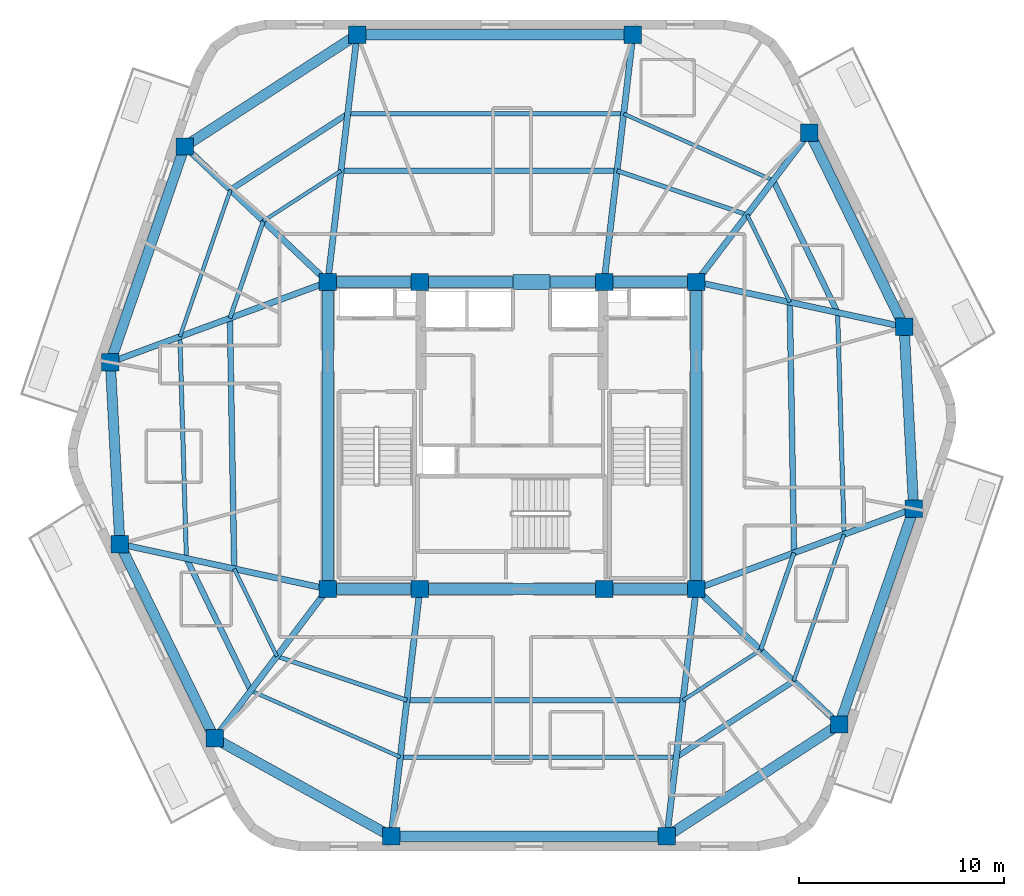
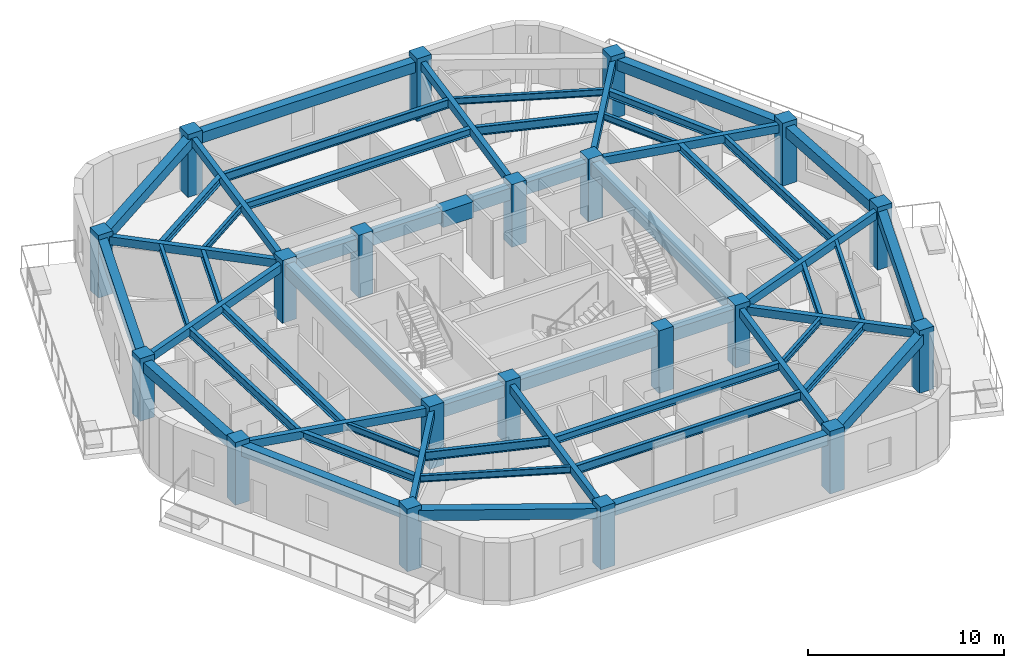
# One storey, part 1 of 9: 56 beams, 20 columns.
"""IFC4 building model written with IfcOpenShell, lengths in metres."""

from ifc_helpers import new_model, si_unit, direction, frame, origin, origin_2d, place, context, subcontext, project, spatial, rectangle, i_section, extrude, material, material_profile, profile_set, type_object, element, save


model = new_model("IFC4")

# Units and contexts
model_context = context("Model", 3, precision=1e-05, world=origin(), true_north=direction((0.0, 1.0)))
body_context = subcontext(model_context, "Body", "Model", "MODEL_VIEW")
ifc_project = project(units=[si_unit("LENGTHUNIT", "METRE"), si_unit("AREAUNIT", "SQUARE_METRE"), si_unit("VOLUMEUNIT", "CUBIC_METRE"), si_unit("PLANEANGLEUNIT", "RADIAN"), si_unit("MASSUNIT", "GRAM", prefix="KILO")], contexts=[model_context])

# Site, building, storey
site_placement = place(None, origin())
site = spatial("IfcSite", under=ifc_project, at=site_placement, CompositionType="ELEMENT")
building_placement = place(site_placement, origin())
building = spatial("IfcBuilding", under=site, at=building_placement, Name="Kilnhurst Terrace Hotel", CompositionType="ELEMENT")
storey_placement = place(building_placement, frame((0.0, 0.0, 273.0)))
storey = spatial("IfcBuildingStorey", under=building, at=storey_placement, Name="L68", CompositionType="ELEMENT", Elevation=273.0)

# Columns
ifc_material_1 = material(Name="Concrete C60/75", Category="concrete")
ifc_material_profile_1 = material_profile(ifc_material_1, rectangle(XDim=0.85009765625, YDim=0.85009765625, at=origin_2d()), Name="RC850X850")
ifc_profile_set_1 = profile_set([ifc_material_profile_1], Name="Concrete C60/75")
column_type = type_object("IfcColumnType", Name="COL-RC-850", PredefinedType="COLUMN", material=ifc_profile_set_1)
for number, where, z_axis, x_axis, name in (
    (1, (-9.0, -7.5, 0.0), (0.0, 0.0, 1.0), (1.0, 0.0, 0.0), "L68 Structural Column CC-SW"),
    (2, (-4.5, -7.5, 0.0), (0.0, 0.0, 1.0), (1.0, 0.0, 0.0), "L68 Structural Column CC-SC1"),
    (3, (4.5, -7.5, 0.0), (0.0, 0.0, 1.0), (1.0, 0.0, 0.0), "L68 Structural Column CC-SC2"),
    (4, (9.0, -7.5, 0.0), (0.0, 0.0, 1.0), (1.0, 0.0, 0.0), "L68 Structural Column CC-SE"),
    (5, (9.0, 7.5, 0.0), (0.0, 0.0, 1.0), (1.0, 0.0, 0.0), "L68 Structural Column CC-NE"),
    (6, (4.5, 7.5, 0.0), (0.0, 0.0, 1.0), (1.0, 0.0, 0.0), "L68 Structural Column CC-NC2"),
    (7, (-4.5, 7.5, 0.0), (0.0, 0.0, 1.0), (1.0, 0.0, 0.0), "L68 Structural Column CC-NC1"),
    (8, (-9.0, 7.5, 0.0), (0.0, 0.0, 1.0), (1.0, 0.0, 0.0), "L68 Structural Column CC-NW"),
    (9, (-5.907958984375, -19.580078125, 0.0), (0.0, 0.0, 1.0), (1.0, 0.0, 0.0), "L68 Structural Column PC-F11"),
    (10, (7.569091796875, -19.580078125, 0.0), (0.0, 0.0, 1.0), (1.0, 0.0, 0.0), "L68 Structural Column PC-F12"),
    (11, (15.9951171875, -14.12109375, 0.0), (0.0, 0.0, 1.0), (1.0, 0.0, 0.0), "L68 Structural Column PC-F21"),
    (12, (19.6240234375, -3.573974609375, 0.0), (0.0, 0.0, 1.0), (1.0, 0.0, 0.0), "L68 Structural Column PC-F22"),
    (13, (19.157958984375, 5.304931640625, 0.0), (0.0, 0.0, 1.0), (1.0, 0.0, 0.0), "L68 Structural Column PC-F31"),
    (14, (14.531005859375, 14.798095703125, 0.0), (0.0, 0.0, 1.0), (1.0, 0.0, 0.0), "L68 Structural Column PC-F32"),
    (15, (5.907958984375, 19.580078125, 0.0), (0.0, 0.0, 1.0), (1.0, 0.0, 0.0), "L68 Structural Column PC-F41"),
    (16, (-7.569091796875, 19.580078125, 0.0), (0.0, 0.0, 1.0), (1.0, 0.0, 0.0), "L68 Structural Column PC-F42"),
    (17, (-15.9951171875, 14.12109375, 0.0), (0.0, 0.0, 1.0), (1.0, 0.0, 0.0), "L68 Structural Column PC-F51"),
    (18, (-19.6240234375, 3.573974609375, 0.0), (0.0, 0.0, 1.0), (1.0, 0.0, 0.0), "L68 Structural Column PC-F52"),
    (19, (-19.157958984375, -5.304931640625, 0.0), (0.0, 0.0, 1.0), (1.0, 0.0, 0.0), "L68 Structural Column PC-F61"),
    (20, (-14.531005859375, -14.798095703125, 0.0), (0.0, 0.0, 1.0), (1.0, 0.0, 0.0), "L68 Structural Column PC-F62"),
):
    element("IfcColumn", number, at=place(storey_placement, frame(where, z_axis=z_axis, x_axis=x_axis)), inside=storey, type_object=column_type, Name=name, PredefinedType="COLUMN", context=body_context, shape_type="SweptSolid", body=[
        extrude(rectangle(XDim=0.85009765625, YDim=0.85009765625, at=origin_2d()), origin(), (0.0, 0.0, 1.0), 3.89990234375),
    ])

# Beams
ifc_material_2 = material(Name="Concrete C50/60", Category="concrete")
ifc_material_profile_2 = material_profile(ifc_material_2, rectangle(XDim=0.300048828125, YDim=0.5, at=origin_2d()), Name="RC300X500")
ifc_profile_set_2 = profile_set([ifc_material_profile_2], Name="Concrete C50/60")
beam_type_1 = type_object("IfcBeamType", Name="BM-RAD-300X500", PredefinedType="BEAM", material=ifc_profile_set_2)
beam_1_placement = place(storey_placement, frame((-4.5, -7.5, 3.35009765625), z_axis=(-0.115768472001, -0.993276225876, 0.0), x_axis=(0.993276225876, -0.115768472001, 0.0)))
element("IfcBeam", 21, at=beam_1_placement, inside=storey, type_object=beam_type_1, Name="L68 Radial Floor Beam 1", PredefinedType="BEAM", context=body_context, shape_type="SweptSolid", body=[
    extrude(rectangle(XDim=0.300048828125, YDim=0.5, at=origin_2d()), origin(), (0.0, 0.0, 1.0), 12.161865234375),
])
beam_2_placement = place(storey_placement, frame((9.0, -7.5, 3.35009765625), z_axis=(-0.117629552811, -0.993057545314, 0.0), x_axis=(0.993057545314, -0.117629552811, 0.0)))
element("IfcBeam", 22, at=beam_2_placement, inside=storey, type_object=beam_type_1, Name="L68 Radial Floor Beam 2", PredefinedType="BEAM", context=body_context, shape_type="SweptSolid", body=[
    extrude(rectangle(XDim=0.300048828125, YDim=0.5, at=origin_2d()), origin(), (0.0, 0.0, 1.0), 12.16455078125),
])
beam_3_placement = place(storey_placement, frame((9.0, -7.5, 3.35009765625), z_axis=(0.726256338973, -0.687423981326, 0.0), x_axis=(0.687423981326, 0.726256338973, 0.0)))
element("IfcBeam", 23, at=beam_3_placement, inside=storey, type_object=beam_type_1, Name="L68 Radial Floor Beam 3", PredefinedType="BEAM", context=body_context, shape_type="SweptSolid", body=[
    extrude(rectangle(XDim=0.300048828125, YDim=0.5, at=origin_2d()), origin(), (0.0, 0.0, 1.0), 9.6318359375),
])
beam_4_placement = place(storey_placement, frame((9.0, -7.5, 3.35009765625), z_axis=(0.938001507479, 0.3466311757, 0.0), x_axis=(-0.3466311757, 0.938001507479, 0.0)))
element("IfcBeam", 24, at=beam_4_placement, inside=storey, type_object=beam_type_1, Name="L68 Radial Floor Beam 4", PredefinedType="BEAM", context=body_context, shape_type="SweptSolid", body=[
    extrude(rectangle(XDim=0.300048828125, YDim=0.5, at=origin_2d()), origin(), (0.0, 0.0, 1.0), 11.326171875),
])
beam_5_placement = place(storey_placement, frame((9.0, 7.5, 3.35009765625), z_axis=(0.977438945995, -0.211218149913, 0.0), x_axis=(0.211218149913, 0.977438945995, 0.0)))
element("IfcBeam", 25, at=beam_5_placement, inside=storey, type_object=beam_type_1, Name="L68 Radial Floor Beam 5", PredefinedType="BEAM", context=body_context, shape_type="SweptSolid", body=[
    extrude(rectangle(XDim=0.300048828125, YDim=0.5, at=origin_2d()), origin(), (0.0, 0.0, 1.0), 10.392333984375),
])
beam_6_placement = place(storey_placement, frame((9.0, 7.5, 3.35009765625), z_axis=(0.604006537698, 0.79697936135, 0.0), x_axis=(-0.79697936135, 0.604006537698, 0.0)))
element("IfcBeam", 26, at=beam_6_placement, inside=storey, type_object=beam_type_1, Name="L68 Radial Floor Beam 6", PredefinedType="BEAM", context=body_context, shape_type="SweptSolid", body=[
    extrude(rectangle(XDim=0.300048828125, YDim=0.5, at=origin_2d()), origin(), (0.0, 0.0, 1.0), 9.1572265625),
])
beam_7_placement = place(storey_placement, frame((4.5, 7.5, 3.35009765625), z_axis=(0.115768472001, 0.993276225876, 0.0), x_axis=(-0.993276225876, 0.115768472001, 0.0)))
element("IfcBeam", 27, at=beam_7_placement, inside=storey, type_object=beam_type_1, Name="L68 Radial Floor Beam 7", PredefinedType="BEAM", context=body_context, shape_type="SweptSolid", body=[
    extrude(rectangle(XDim=0.300048828125, YDim=0.5, at=origin_2d()), origin(), (0.0, 0.0, 1.0), 12.161865234375),
])
beam_8_placement = place(storey_placement, frame((-9.0, 7.5, 3.35009765625), z_axis=(0.117629552811, 0.993057545314, 0.0), x_axis=(-0.993057545314, 0.117629552811, 0.0)))
element("IfcBeam", 28, at=beam_8_placement, inside=storey, type_object=beam_type_1, Name="L68 Radial Floor Beam 8", PredefinedType="BEAM", context=body_context, shape_type="SweptSolid", body=[
    extrude(rectangle(XDim=0.300048828125, YDim=0.5, at=origin_2d()), origin(), (0.0, 0.0, 1.0), 12.16455078125),
])
beam_9_placement = place(storey_placement, frame((-9.0, 7.5, 3.35009765625), z_axis=(-0.726256338973, 0.687423981326, 0.0), x_axis=(-0.687423981326, -0.726256338973, 0.0)))
element("IfcBeam", 29, at=beam_9_placement, inside=storey, type_object=beam_type_1, Name="L68 Radial Floor Beam 9", PredefinedType="BEAM", context=body_context, shape_type="SweptSolid", body=[
    extrude(rectangle(XDim=0.300048828125, YDim=0.5, at=origin_2d()), origin(), (0.0, 0.0, 1.0), 9.6318359375),
])
beam_10_placement = place(storey_placement, frame((-9.0, 7.5, 3.35009765625), z_axis=(-0.938001507479, -0.3466311757, 0.0), x_axis=(0.3466311757, -0.938001507479, 0.0)))
element("IfcBeam", 30, at=beam_10_placement, inside=storey, type_object=beam_type_1, Name="L68 Radial Floor Beam 10", PredefinedType="BEAM", context=body_context, shape_type="SweptSolid", body=[
    extrude(rectangle(XDim=0.300048828125, YDim=0.5, at=origin_2d()), origin(), (0.0, 0.0, 1.0), 11.326171875),
])
beam_11_placement = place(storey_placement, frame((-9.0, -7.5, 3.35009765625), z_axis=(-0.977438945995, 0.211218149913, 0.0), x_axis=(-0.211218149913, -0.977438945995, 0.0)))
element("IfcBeam", 31, at=beam_11_placement, inside=storey, type_object=beam_type_1, Name="L68 Radial Floor Beam 11", PredefinedType="BEAM", context=body_context, shape_type="SweptSolid", body=[
    extrude(rectangle(XDim=0.300048828125, YDim=0.5, at=origin_2d()), origin(), (0.0, 0.0, 1.0), 10.392333984375),
])
beam_12_placement = place(storey_placement, frame((-9.0, -7.5, 3.35009765625), z_axis=(-0.604006537698, -0.79697936135, 0.0), x_axis=(0.79697936135, -0.604006537698, 0.0)))
element("IfcBeam", 32, at=beam_12_placement, inside=storey, type_object=beam_type_1, Name="L68 Radial Floor Beam 12", PredefinedType="BEAM", context=body_context, shape_type="SweptSolid", body=[
    extrude(rectangle(XDim=0.300048828125, YDim=0.5, at=origin_2d()), origin(), (0.0, 0.0, 1.0), 9.1572265625),
])
ifc_material_profile_3 = material_profile(ifc_material_2, rectangle(XDim=0.5, YDim=0.64990234375, at=origin_2d()), Name="RC500X650")
ifc_profile_set_3 = profile_set([ifc_material_profile_3], Name="Concrete C50/60")
beam_type_2 = type_object("IfcBeamType", Name="BM-SPN-500X650", PredefinedType="SPANDREL", material=ifc_profile_set_3)
beam_13_placement = place(storey_placement, frame((-5.907958984375, -19.580078125, 3.27490234375), z_axis=(1.0, 0.0, 0.0), x_axis=(0.0, 1.0, 0.0)))
element("IfcBeam", 33, at=beam_13_placement, inside=storey, type_object=beam_type_2, Name="L68 Perimeter Spandrel Beam 1", PredefinedType="SPANDREL", context=body_context, shape_type="SweptSolid", body=[
    extrude(rectangle(XDim=0.5, YDim=0.64990234375, at=origin_2d()), origin(), (0.0, 0.0, 1.0), 13.47705078125),
])
beam_14_placement = place(storey_placement, frame((7.569091796875, -19.580078125, 3.27490234375), z_axis=(0.839258818809, 0.543732135386, 0.0), x_axis=(-0.543732135386, 0.839258818809, 0.0)))
element("IfcBeam", 34, at=beam_14_placement, inside=storey, type_object=beam_type_2, Name="L68 Perimeter Spandrel Beam 2", PredefinedType="SPANDREL", context=body_context, shape_type="SweptSolid", body=[
    extrude(rectangle(XDim=0.5, YDim=0.64990234375, at=origin_2d()), origin(), (0.0, 0.0, 1.0), 10.039794921875),
])
beam_15_placement = place(storey_placement, frame((15.9951171875, -14.12109375, 3.27490234375), z_axis=(0.325347079026, 0.945594669068, 0.0), x_axis=(-0.945594669068, 0.325347079026, 0.0)))
element("IfcBeam", 35, at=beam_15_placement, inside=storey, type_object=beam_type_2, Name="L68 Perimeter Spandrel Beam 3", PredefinedType="SPANDREL", context=body_context, shape_type="SweptSolid", body=[
    extrude(rectangle(XDim=0.5, YDim=0.64990234375, at=origin_2d()), origin(), (0.0, 0.0, 1.0), 11.154052734375),
])
beam_16_placement = place(storey_placement, frame((19.6240234375, -3.573974609375, 3.27490234375), z_axis=(-0.052419034962, 0.998625177318, 0.0), x_axis=(-0.998625177318, -0.052419034962, 0.0)))
element("IfcBeam", 36, at=beam_16_placement, inside=storey, type_object=beam_type_2, Name="L68 Perimeter Spandrel Beam 4", PredefinedType="SPANDREL", context=body_context, shape_type="SweptSolid", body=[
    extrude(rectangle(XDim=0.5, YDim=0.64990234375, at=origin_2d()), origin(), (0.0, 0.0, 1.0), 8.89111328125),
])
beam_17_placement = place(storey_placement, frame((19.157958984375, 5.304931640625, 3.27490234375), z_axis=(-0.438128464895, 0.898912369616, 0.0), x_axis=(-0.898912369616, -0.438128464895, 0.0)))
element("IfcBeam", 37, at=beam_17_placement, inside=storey, type_object=beam_type_2, Name="L68 Perimeter Spandrel Beam 5", PredefinedType="SPANDREL", context=body_context, shape_type="SweptSolid", body=[
    extrude(rectangle(XDim=0.5, YDim=0.64990234375, at=origin_2d()), origin(), (0.0, 0.0, 1.0), 10.560791015625),
])
beam_18_placement = place(storey_placement, frame((5.907958984375, 19.580078125, 3.27490234375), z_axis=(-1.0, 0.0, 0.0), x_axis=(0.0, -1.0, 0.0)))
element("IfcBeam", 38, at=beam_18_placement, inside=storey, type_object=beam_type_2, Name="L68 Perimeter Spandrel Beam 7", PredefinedType="SPANDREL", context=body_context, shape_type="SweptSolid", body=[
    extrude(rectangle(XDim=0.5, YDim=0.64990234375, at=origin_2d()), origin(), (0.0, 0.0, 1.0), 13.47705078125),
])
beam_19_placement = place(storey_placement, frame((-7.569091796875, 19.580078125, 3.27490234375), z_axis=(-0.839258818809, -0.543732135386, 0.0), x_axis=(0.543732135386, -0.839258818809, 0.0)))
element("IfcBeam", 39, at=beam_19_placement, inside=storey, type_object=beam_type_2, Name="L68 Perimeter Spandrel Beam 8", PredefinedType="SPANDREL", context=body_context, shape_type="SweptSolid", body=[
    extrude(rectangle(XDim=0.5, YDim=0.64990234375, at=origin_2d()), origin(), (0.0, 0.0, 1.0), 10.039794921875),
])
beam_20_placement = place(storey_placement, frame((-15.9951171875, 14.12109375, 3.27490234375), z_axis=(-0.325347079026, -0.945594669068, 0.0), x_axis=(0.945594669068, -0.325347079026, 0.0)))
element("IfcBeam", 40, at=beam_20_placement, inside=storey, type_object=beam_type_2, Name="L68 Perimeter Spandrel Beam 9", PredefinedType="SPANDREL", context=body_context, shape_type="SweptSolid", body=[
    extrude(rectangle(XDim=0.5, YDim=0.64990234375, at=origin_2d()), origin(), (0.0, 0.0, 1.0), 11.154052734375),
])
beam_21_placement = place(storey_placement, frame((-19.6240234375, 3.573974609375, 3.27490234375), z_axis=(0.052419034962, -0.998625177318, 0.0), x_axis=(0.998625177318, 0.052419034962, 0.0)))
element("IfcBeam", 41, at=beam_21_placement, inside=storey, type_object=beam_type_2, Name="L68 Perimeter Spandrel Beam 10", PredefinedType="SPANDREL", context=body_context, shape_type="SweptSolid", body=[
    extrude(rectangle(XDim=0.5, YDim=0.64990234375, at=origin_2d()), origin(), (0.0, 0.0, 1.0), 8.89111328125),
])
beam_22_placement = place(storey_placement, frame((-19.157958984375, -5.304931640625, 3.27490234375), z_axis=(0.438128464895, -0.898912369616, 0.0), x_axis=(0.898912369616, 0.438128464895, 0.0)))
element("IfcBeam", 42, at=beam_22_placement, inside=storey, type_object=beam_type_2, Name="L68 Perimeter Spandrel Beam 11", PredefinedType="SPANDREL", context=body_context, shape_type="SweptSolid", body=[
    extrude(rectangle(XDim=0.5, YDim=0.64990234375, at=origin_2d()), origin(), (0.0, 0.0, 1.0), 10.560791015625),
])
beam_23_placement = place(storey_placement, frame((-14.531005859375, -14.798095703125, 3.27490234375), z_axis=(0.874527255888, -0.484976369227, 0.0), x_axis=(0.484976369227, 0.874527255888, 0.0)))
element("IfcBeam", 43, at=beam_23_placement, inside=storey, type_object=beam_type_2, Name="L68 Perimeter Spandrel Beam 12", PredefinedType="SPANDREL", context=body_context, shape_type="SweptSolid", body=[
    extrude(rectangle(XDim=0.5, YDim=0.64990234375, at=origin_2d()), origin(), (0.0, 0.0, 1.0), 9.8603515625),
])
ifc_material_profile_4 = material_profile(ifc_material_2, rectangle(XDim=0.550048828125, YDim=0.75, at=origin_2d()), Name="RC550X750")
ifc_profile_set_4 = profile_set([ifc_material_profile_4], Name="Concrete C50/60")
beam_type_3 = type_object("IfcBeamType", Name="BM-SPN-550X750", PredefinedType="SPANDREL", material=ifc_profile_set_4)
beam_24_placement = place(storey_placement, frame((-9.0, 7.5, 3.22509765625), z_axis=(1.0, 0.0, 0.0), x_axis=(0.0, 1.0, 0.0)))
element("IfcBeam", 44, at=beam_24_placement, inside=storey, type_object=beam_type_3, Name="L68 Core Tie Beam CC-NW to CC-NC1", PredefinedType="SPANDREL", context=body_context, shape_type="SweptSolid", body=[
    extrude(rectangle(XDim=0.550048828125, YDim=0.75, at=origin_2d()), origin(), (0.0, 0.0, 1.0), 4.5),
])
beam_25_placement = place(storey_placement, frame((-4.5, 7.5, 3.22509765625), z_axis=(1.0, 0.0, 0.0), x_axis=(0.0, 1.0, 0.0)))
element("IfcBeam", 45, at=beam_25_placement, inside=storey, type_object=beam_type_3, Name="L68 Core Tie Beam CC-NC1 to CC-NC2", PredefinedType="SPANDREL", context=body_context, shape_type="SweptSolid", body=[
    extrude(rectangle(XDim=0.550048828125, YDim=0.75, at=origin_2d()), origin(), (0.0, 0.0, 1.0), 9.0),
])
for number, where, z_axis, x_axis, name in (
    (46, (4.5, 7.5, 3.22509765625), (1.0, 0.0, 0.0), (0.0, 1.0, 0.0), "L68 Core Tie Beam CC-NC2 to CC-NE"),
    (47, (-9.0, -7.5, 3.22509765625), (1.0, 0.0, 0.0), (0.0, 1.0, 0.0), "L68 Core Tie Beam CC-SW to CC-SC1"),
):
    element("IfcBeam", number, at=place(storey_placement, frame(where, z_axis=z_axis, x_axis=x_axis)), inside=storey, type_object=beam_type_3, Name=name, PredefinedType="SPANDREL", context=body_context, shape_type="SweptSolid", body=[
        extrude(rectangle(XDim=0.550048828125, YDim=0.75, at=origin_2d()), origin(), (0.0, 0.0, 1.0), 4.5),
    ])
beam_26_placement = place(storey_placement, frame((-4.5, -7.5, 3.22509765625), z_axis=(1.0, 0.0, 0.0), x_axis=(0.0, 1.0, 0.0)))
element("IfcBeam", 48, at=beam_26_placement, inside=storey, type_object=beam_type_3, Name="L68 Core Tie Beam CC-SC1 to CC-SC2", PredefinedType="SPANDREL", context=body_context, shape_type="SweptSolid", body=[
    extrude(rectangle(XDim=0.550048828125, YDim=0.75, at=origin_2d()), origin(), (0.0, 0.0, 1.0), 9.0),
])
beam_27_placement = place(storey_placement, frame((4.5, -7.5, 3.22509765625), z_axis=(1.0, 0.0, 0.0), x_axis=(0.0, 1.0, 0.0)))
element("IfcBeam", 49, at=beam_27_placement, inside=storey, type_object=beam_type_3, Name="L68 Core Tie Beam CC-SC2 to CC-SE", PredefinedType="SPANDREL", context=body_context, shape_type="SweptSolid", body=[
    extrude(rectangle(XDim=0.550048828125, YDim=0.75, at=origin_2d()), origin(), (0.0, 0.0, 1.0), 4.5),
])
for number, where, z_axis, x_axis, name in (
    (50, (-9.0, -7.5, 3.22509765625), (0.0, 1.0, 0.0), (-1.0, 0.0, 0.0), "L68 Core Tie Beam CC-SW to CC-NW"),
    (51, (9.0, -7.5, 3.22509765625), (0.0, 1.0, 0.0), (-1.0, 0.0, 0.0), "L68 Core Tie Beam CC-SE to CC-NE"),
):
    element("IfcBeam", number, at=place(storey_placement, frame(where, z_axis=z_axis, x_axis=x_axis)), inside=storey, type_object=beam_type_3, Name=name, PredefinedType="SPANDREL", context=body_context, shape_type="SweptSolid", body=[
        extrude(rectangle(XDim=0.550048828125, YDim=0.75, at=origin_2d()), origin(), (0.0, 0.0, 1.0), 15.0),
    ])
ifc_material_3 = material(Name="Steel ASTM A992 Grade 50", Category="steel")
ifc_material_profile_5 = material_profile(ifc_material_3, i_section(OverallWidth=0.180908203125, OverallDepth=0.417236328125, WebThickness=0.010986328125, FlangeThickness=0.018310546875, at=origin_2d()), Name="W16X57")
ifc_profile_set_5 = profile_set([ifc_material_profile_5], Name="Steel ASTM A992 Grade 50")
beam_type_4 = type_object("IfcBeamType", Name="JST-STL-W16X57", PredefinedType="JOIST", material=ifc_profile_set_5)
beam_28_placement = place(storey_placement, frame((13.756591796875, -12.002197265625, 3.39111328125), z_axis=(0.325367628202, 0.945587598543, 0.0), x_axis=(-0.945587598543, 0.325367628202, 0.0)))
element("IfcBeam", 52, at=beam_28_placement, inside=storey, type_object=beam_type_4, Name="L68 Secondary Floor Steel Joist OUT.3", PredefinedType="JOIST", context=body_context, shape_type="SweptSolid", body=[
    extrude(i_section(OverallWidth=0.180908203125, OverallDepth=0.417236328125, WebThickness=0.010986328125, FlangeThickness=0.018310546875, at=origin_2d()), origin(), (0.0, 0.0, 1.0), 7.58447265625),
])
beam_29_placement = place(storey_placement, frame((12.760986328125, 12.462646484375, 3.39111328125), z_axis=(-0.913545640569, 0.406736232216, 0.0), x_axis=(-0.406736232216, -0.913545640569, 0.0)))
element("IfcBeam", 53, at=beam_29_placement, inside=storey, type_object=beam_type_4, Name="L68 Secondary Floor Steel Joist OUT.6", PredefinedType="JOIST", context=body_context, shape_type="SweptSolid", body=[
    extrude(i_section(OverallWidth=0.180908203125, OverallDepth=0.417236328125, WebThickness=0.010986328125, FlangeThickness=0.018310546875, at=origin_2d()), origin(), (0.0, 0.0, 1.0), 7.99462890625),
])
beam_30_placement = place(storey_placement, frame((-13.756591796875, 12.002197265625, 3.39111328125), z_axis=(-0.325367628202, -0.945587598543, 0.0), x_axis=(0.945587598543, -0.325367628202, 0.0)))
element("IfcBeam", 54, at=beam_30_placement, inside=storey, type_object=beam_type_4, Name="L68 Secondary Floor Steel Joist OUT.9", PredefinedType="JOIST", context=body_context, shape_type="SweptSolid", body=[
    extrude(i_section(OverallWidth=0.180908203125, OverallDepth=0.417236328125, WebThickness=0.010986328125, FlangeThickness=0.018310546875, at=origin_2d()), origin(), (0.0, 0.0, 1.0), 7.58447265625),
])
beam_31_placement = place(storey_placement, frame((-12.760986328125, -12.462646484375, 3.39111328125), z_axis=(0.913545640569, -0.406736232216, 0.0), x_axis=(0.406736232216, 0.913545640569, 0.0)))
element("IfcBeam", 55, at=beam_31_placement, inside=storey, type_object=beam_type_4, Name="L68 Secondary Floor Steel Joist OUT.12", PredefinedType="JOIST", context=body_context, shape_type="SweptSolid", body=[
    extrude(i_section(OverallWidth=0.180908203125, OverallDepth=0.417236328125, WebThickness=0.010986328125, FlangeThickness=0.018310546875, at=origin_2d()), origin(), (0.0, 0.0, 1.0), 7.99462890625),
])
beam_32_placement = place(storey_placement, frame((8.35595703125, -12.93603515625, 3.39111328125), z_axis=(0.839261215199, 0.543728436503, 0.0), x_axis=(-0.543728436503, 0.839261215199, 0.0)))
element("IfcBeam", 56, at=beam_32_placement, inside=storey, type_object=beam_type_4, Name="L68 Secondary Floor Steel Joist IN.2", PredefinedType="JOIST", context=body_context, shape_type="SweptSolid", body=[
    extrude(i_section(OverallWidth=0.180908203125, OverallDepth=0.417236328125, WebThickness=0.010986328125, FlangeThickness=0.018310546875, at=origin_2d()), origin(), (0.0, 0.0, 1.0), 4.51806640625),
])
beam_33_placement = place(storey_placement, frame((13.571044921875, 6.51220703125, 3.39111328125), z_axis=(-0.438107813647, 0.898922434708, 0.0), x_axis=(-0.898922434708, -0.438107813647, 0.0)))
element("IfcBeam", 57, at=beam_33_placement, inside=storey, type_object=beam_type_4, Name="L68 Secondary Floor Steel Joist IN.5", PredefinedType="JOIST", context=body_context, shape_type="SweptSolid", body=[
    extrude(i_section(OverallWidth=0.180908203125, OverallDepth=0.417236328125, WebThickness=0.010986328125, FlangeThickness=0.018310546875, at=origin_2d()), origin(), (0.0, 0.0, 1.0), 4.75244140625),
])
beam_34_placement = place(storey_placement, frame((-8.35595703125, 12.93603515625, 3.39111328125), z_axis=(-0.839261215199, -0.543728436503, 0.0), x_axis=(0.543728436503, -0.839261215199, 0.0)))
element("IfcBeam", 58, at=beam_34_placement, inside=storey, type_object=beam_type_4, Name="L68 Secondary Floor Steel Joist IN.8", PredefinedType="JOIST", context=body_context, shape_type="SweptSolid", body=[
    extrude(i_section(OverallWidth=0.180908203125, OverallDepth=0.417236328125, WebThickness=0.010986328125, FlangeThickness=0.018310546875, at=origin_2d()), origin(), (0.0, 0.0, 1.0), 4.51806640625),
])
beam_35_placement = place(storey_placement, frame((-13.571044921875, -6.51220703125, 3.39111328125), z_axis=(0.438107813647, -0.898922434708, 0.0), x_axis=(0.898922434708, 0.438107813647, 0.0)))
element("IfcBeam", 59, at=beam_35_placement, inside=storey, type_object=beam_type_4, Name="L68 Secondary Floor Steel Joist IN.11", PredefinedType="JOIST", context=body_context, shape_type="SweptSolid", body=[
    extrude(i_section(OverallWidth=0.180908203125, OverallDepth=0.417236328125, WebThickness=0.010986328125, FlangeThickness=0.018310546875, at=origin_2d()), origin(), (0.0, 0.0, 1.0), 4.75244140625),
])
ifc_material_profile_6 = material_profile(ifc_material_3, i_section(OverallWidth=0.279296875, OverallDepth=0.462890625, WebThickness=0.0107421875, FlangeThickness=0.017333984375, at=origin_2d()), Name="W18X76")
ifc_profile_set_6 = profile_set([ifc_material_profile_6], Name="Steel ASTM A992 Grade 50")
beam_type_5 = type_object("IfcBeamType", Name="JST-STL-W18X76", PredefinedType="JOIST", material=ifc_profile_set_6)
beam_36_placement = place(storey_placement, frame((8.02685546875, -15.71435546875, 3.367919921875), z_axis=(0.839257246669, 0.543734562001, 0.0), x_axis=(-0.543734562001, 0.839257246669, 0.0)))
element("IfcBeam", 60, at=beam_36_placement, inside=storey, type_object=beam_type_5, Name="L68 Secondary Floor Steel Joist OUT.2", PredefinedType="JOIST", context=body_context, shape_type="SweptSolid", body=[
    extrude(i_section(OverallWidth=0.279296875, OverallDepth=0.462890625, WebThickness=0.0107421875, FlangeThickness=0.017333984375, at=origin_2d()), origin(), (0.0, 0.0, 1.0), 6.8271484375),
])
beam_37_placement = place(storey_placement, frame((15.907470703125, 6.00732421875, 3.367919921875), z_axis=(-0.438147652742, 0.898903017237, 0.0), x_axis=(-0.898903017237, -0.438147652742, 0.0)))
element("IfcBeam", 61, at=beam_37_placement, inside=storey, type_object=beam_type_5, Name="L68 Secondary Floor Steel Joist OUT.5", PredefinedType="JOIST", context=body_context, shape_type="SweptSolid", body=[
    extrude(i_section(OverallWidth=0.279296875, OverallDepth=0.462890625, WebThickness=0.0107421875, FlangeThickness=0.017333984375, at=origin_2d()), origin(), (0.0, 0.0, 1.0), 7.181396484375),
])
beam_38_placement = place(storey_placement, frame((-8.02685546875, 15.71435546875, 3.367919921875), z_axis=(-0.839257246669, -0.543734562001, 0.0), x_axis=(0.543734562001, -0.839257246669, 0.0)))
element("IfcBeam", 62, at=beam_38_placement, inside=storey, type_object=beam_type_5, Name="L68 Secondary Floor Steel Joist OUT.8", PredefinedType="JOIST", context=body_context, shape_type="SweptSolid", body=[
    extrude(i_section(OverallWidth=0.279296875, OverallDepth=0.462890625, WebThickness=0.0107421875, FlangeThickness=0.017333984375, at=origin_2d()), origin(), (0.0, 0.0, 1.0), 6.8271484375),
])
beam_39_placement = place(storey_placement, frame((-15.907470703125, -6.00732421875, 3.367919921875), z_axis=(0.438147652742, -0.898903017237, 0.0), x_axis=(0.898903017237, 0.438147652742, 0.0)))
element("IfcBeam", 63, at=beam_39_placement, inside=storey, type_object=beam_type_5, Name="L68 Secondary Floor Steel Joist OUT.11", PredefinedType="JOIST", context=body_context, shape_type="SweptSolid", body=[
    extrude(i_section(OverallWidth=0.279296875, OverallDepth=0.462890625, WebThickness=0.0107421875, FlangeThickness=0.017333984375, at=origin_2d()), origin(), (0.0, 0.0, 1.0), 7.181396484375),
])
beam_40_placement = place(storey_placement, frame((-5.133544921875, -12.93603515625, 3.367919921875), z_axis=(1.0, 0.0, 0.0), x_axis=(0.0, 1.0, 0.0)))
element("IfcBeam", 64, at=beam_40_placement, inside=storey, type_object=beam_type_5, Name="L68 Secondary Floor Steel Joist IN.1", PredefinedType="JOIST", context=body_context, shape_type="SweptSolid", body=[
    extrude(i_section(OverallWidth=0.279296875, OverallDepth=0.462890625, WebThickness=0.0107421875, FlangeThickness=0.017333984375, at=origin_2d()), origin(), (0.0, 0.0, 1.0), 13.489501953125),
])
beam_41_placement = place(storey_placement, frame((13.78076171875, -5.7333984375, 3.367919921875), z_axis=(-0.01712337129, 0.99985338433, 0.0), x_axis=(-0.99985338433, -0.01712337129, 0.0)))
element("IfcBeam", 65, at=beam_41_placement, inside=storey, type_object=beam_type_5, Name="L68 Secondary Floor Steel Joist IN.4", PredefinedType="JOIST", context=body_context, shape_type="SweptSolid", body=[
    extrude(i_section(OverallWidth=0.279296875, OverallDepth=0.462890625, WebThickness=0.0107421875, FlangeThickness=0.017333984375, at=origin_2d()), origin(), (0.0, 0.0, 1.0), 12.247314453125),
])
beam_42_placement = place(storey_placement, frame((5.133544921875, 12.93603515625, 3.367919921875), z_axis=(-1.0, 0.0, 0.0), x_axis=(0.0, -1.0, 0.0)))
element("IfcBeam", 66, at=beam_42_placement, inside=storey, type_object=beam_type_5, Name="L68 Secondary Floor Steel Joist IN.7", PredefinedType="JOIST", context=body_context, shape_type="SweptSolid", body=[
    extrude(i_section(OverallWidth=0.279296875, OverallDepth=0.462890625, WebThickness=0.0107421875, FlangeThickness=0.017333984375, at=origin_2d()), origin(), (0.0, 0.0, 1.0), 13.489501953125),
])
beam_43_placement = place(storey_placement, frame((-13.78076171875, 5.7333984375, 3.367919921875), z_axis=(0.01712337129, -0.99985338433, 0.0), x_axis=(0.99985338433, 0.01712337129, 0.0)))
element("IfcBeam", 67, at=beam_43_placement, inside=storey, type_object=beam_type_5, Name="L68 Secondary Floor Steel Joist IN.10", PredefinedType="JOIST", context=body_context, shape_type="SweptSolid", body=[
    extrude(i_section(OverallWidth=0.279296875, OverallDepth=0.462890625, WebThickness=0.0107421875, FlangeThickness=0.017333984375, at=origin_2d()), origin(), (0.0, 0.0, 1.0), 12.247314453125),
])
ifc_material_profile_7 = material_profile(ifc_material_3, i_section(OverallWidth=0.2138671875, OverallDepth=0.549072265625, WebThickness=0.0146484375, FlangeThickness=0.023681640625, at=origin_2d()), Name="W21X93")
ifc_profile_set_7 = profile_set([ifc_material_profile_7], Name="Steel ASTM A992 Grade 50")
beam_type_6 = type_object("IfcBeamType", Name="JST-STL-W21X93", PredefinedType="JOIST", material=ifc_profile_set_7)
beam_44_placement = place(storey_placement, frame((-5.45751953125, -15.71435546875, 3.324951171875), z_axis=(1.0, 0.0, 0.0), x_axis=(0.0, 1.0, 0.0)))
element("IfcBeam", 68, at=beam_44_placement, inside=storey, type_object=beam_type_6, Name="L68 Secondary Floor Steel Joist OUT.1", PredefinedType="JOIST", context=body_context, shape_type="SweptSolid", body=[
    extrude(i_section(OverallWidth=0.2138671875, OverallDepth=0.549072265625, WebThickness=0.0146484375, FlangeThickness=0.023681640625, at=origin_2d()), origin(), (0.0, 0.0, 1.0), 13.484375),
])
beam_45_placement = place(storey_placement, frame((16.224365234375, -4.830322265625, 3.324951171875), z_axis=(-0.029227669324, 0.999572780415, 0.0), x_axis=(-0.999572780415, -0.029227669324, 0.0)))
element("IfcBeam", 69, at=beam_45_placement, inside=storey, type_object=beam_type_6, Name="L68 Secondary Floor Steel Joist OUT.4", PredefinedType="JOIST", context=body_context, shape_type="SweptSolid", body=[
    extrude(i_section(OverallWidth=0.2138671875, OverallDepth=0.549072265625, WebThickness=0.0146484375, FlangeThickness=0.023681640625, at=origin_2d()), origin(), (0.0, 0.0, 1.0), 10.84228515625),
])
beam_46_placement = place(storey_placement, frame((5.45751953125, 15.71435546875, 3.324951171875), z_axis=(-1.0, 0.0, 0.0), x_axis=(0.0, -1.0, 0.0)))
element("IfcBeam", 70, at=beam_46_placement, inside=storey, type_object=beam_type_6, Name="L68 Secondary Floor Steel Joist OUT.7", PredefinedType="JOIST", context=body_context, shape_type="SweptSolid", body=[
    extrude(i_section(OverallWidth=0.2138671875, OverallDepth=0.549072265625, WebThickness=0.0146484375, FlangeThickness=0.023681640625, at=origin_2d()), origin(), (0.0, 0.0, 1.0), 13.484375),
])
beam_47_placement = place(storey_placement, frame((-16.224365234375, 4.830322265625, 3.324951171875), z_axis=(0.029227669324, -0.999572780415, 0.0), x_axis=(0.999572780415, 0.029227669324, 0.0)))
element("IfcBeam", 71, at=beam_47_placement, inside=storey, type_object=beam_type_6, Name="L68 Secondary Floor Steel Joist OUT.10", PredefinedType="JOIST", context=body_context, shape_type="SweptSolid", body=[
    extrude(i_section(OverallWidth=0.2138671875, OverallDepth=0.549072265625, WebThickness=0.0146484375, FlangeThickness=0.023681640625, at=origin_2d()), origin(), (0.0, 0.0, 1.0), 10.84228515625),
])
beam_48_placement = place(storey_placement, frame((12.147705078125, -10.4794921875, 3.324951171875), z_axis=(0.325362511486, 0.94558935914, 0.0), x_axis=(-0.94558935914, 0.325362511486, 0.0)))
element("IfcBeam", 72, at=beam_48_placement, inside=storey, type_object=beam_type_6, Name="L68 Secondary Floor Steel Joist IN.3", PredefinedType="JOIST", context=body_context, shape_type="SweptSolid", body=[
    extrude(i_section(OverallWidth=0.2138671875, OverallDepth=0.549072265625, WebThickness=0.0146484375, FlangeThickness=0.023681640625, at=origin_2d()), origin(), (0.0, 0.0, 1.0), 5.019287109375),
])
beam_49_placement = place(storey_placement, frame((11.489013671875, 10.7841796875, 3.324951171875), z_axis=(-0.947180946302, 0.320699633555, 0.0), x_axis=(-0.320699633555, -0.947180946302, 0.0)))
element("IfcBeam", 73, at=beam_49_placement, inside=storey, type_object=beam_type_6, Name="L68 Secondary Floor Steel Joist IN.6", PredefinedType="JOIST", context=body_context, shape_type="SweptSolid", body=[
    extrude(i_section(OverallWidth=0.2138671875, OverallDepth=0.549072265625, WebThickness=0.0146484375, FlangeThickness=0.023681640625, at=origin_2d()), origin(), (0.0, 0.0, 1.0), 6.7099609375),
])
beam_50_placement = place(storey_placement, frame((-12.147705078125, 10.4794921875, 3.324951171875), z_axis=(-0.325362511486, -0.94558935914, 0.0), x_axis=(0.94558935914, -0.325362511486, 0.0)))
element("IfcBeam", 74, at=beam_50_placement, inside=storey, type_object=beam_type_6, Name="L68 Secondary Floor Steel Joist IN.9", PredefinedType="JOIST", context=body_context, shape_type="SweptSolid", body=[
    extrude(i_section(OverallWidth=0.2138671875, OverallDepth=0.549072265625, WebThickness=0.0146484375, FlangeThickness=0.023681640625, at=origin_2d()), origin(), (0.0, 0.0, 1.0), 5.019287109375),
])
beam_51_placement = place(storey_placement, frame((-11.489013671875, -10.7841796875, 3.324951171875), z_axis=(0.947180946302, -0.320699633555, 0.0), x_axis=(0.320699633555, 0.947180946302, 0.0)))
element("IfcBeam", 75, at=beam_51_placement, inside=storey, type_object=beam_type_6, Name="L68 Secondary Floor Steel Joist IN.12", PredefinedType="JOIST", context=body_context, shape_type="SweptSolid", body=[
    extrude(i_section(OverallWidth=0.2138671875, OverallDepth=0.549072265625, WebThickness=0.0146484375, FlangeThickness=0.023681640625, at=origin_2d()), origin(), (0.0, 0.0, 1.0), 6.7099609375),
])
ifc_material_profile_8 = material_profile(ifc_material_1, rectangle(XDim=0.75, YDim=1.0, at=origin_2d()), Name="RC750X1000")
ifc_profile_set_8 = profile_set([ifc_material_profile_8], Name="Concrete C60/75")
beam_type_7 = type_object("IfcBeamType", Name="LNT-CB-750X1000", PredefinedType="LINTEL", material=ifc_profile_set_8)
beam_52_placement = place(storey_placement, frame((0.050048828125, 7.5, 3.10009765625), z_axis=(1.0, 0.0, 0.0), x_axis=(0.0, 1.0, 0.0)))
element("IfcBeam", 76, at=beam_52_placement, inside=storey, type_object=beam_type_7, Name="L68 North Core Coupling Link Beam", PredefinedType="LINTEL", context=body_context, shape_type="SweptSolid", body=[
    extrude(rectangle(XDim=0.75, YDim=1.0, at=origin_2d()), origin(), (0.0, 0.0, 1.0), 1.800048828125),
])

save(model, "model.ifc")
